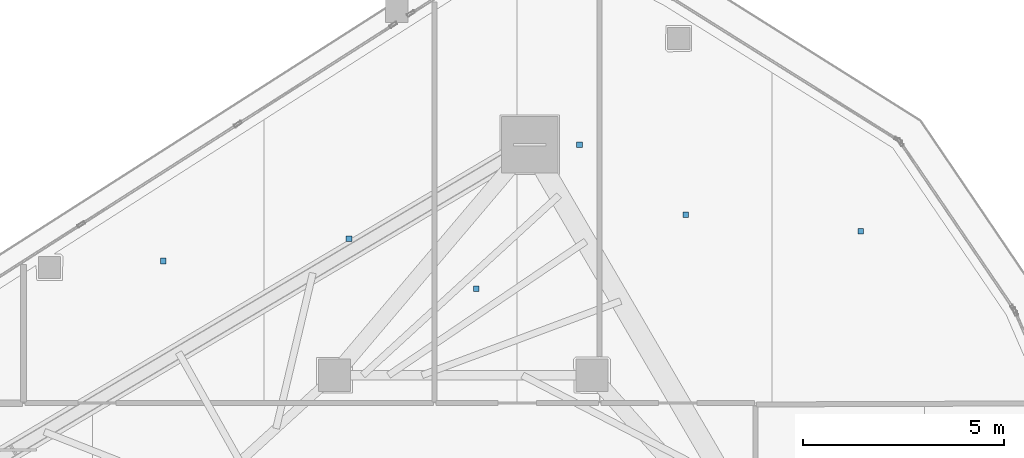
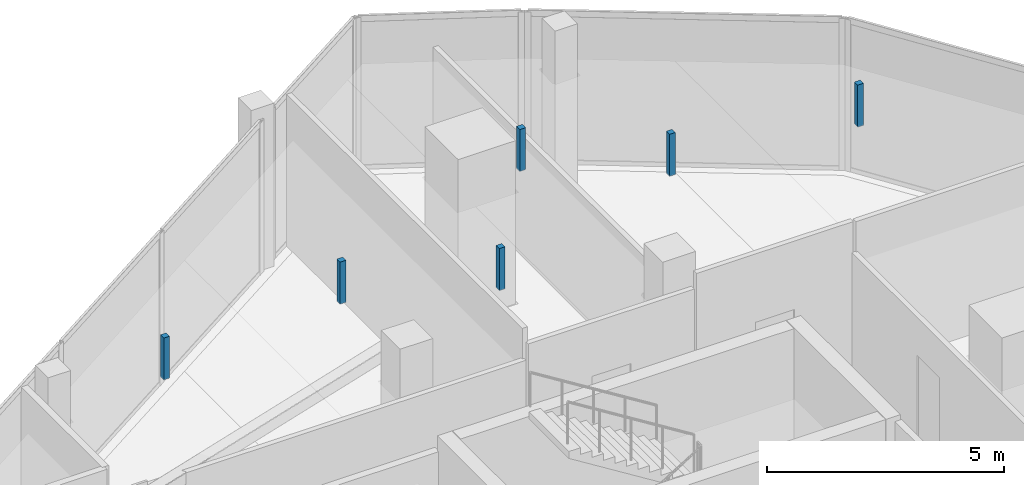
# One storey, part 25 of 30: 6 discrete accessories.
"""IFC4 building model written with IfcOpenShell, lengths in metres."""

from ifc_helpers import new_model, si_unit, direction, frame, origin, origin_2d, place, context, subcontext, project, spatial, rectangle, extrude, material, type_object, element, save


model = new_model("IFC4")

# Units and contexts
model_context = context("Model", 3, precision=1e-05, world=origin(), true_north=direction((0.0, 1.0)))
body_context = subcontext(model_context, "Body", "Model", "MODEL_VIEW")
ifc_project = project(units=[si_unit("LENGTHUNIT", "METRE"), si_unit("AREAUNIT", "SQUARE_METRE"), si_unit("VOLUMEUNIT", "CUBIC_METRE"), si_unit("PLANEANGLEUNIT", "RADIAN"), si_unit("MASSUNIT", "GRAM", prefix="KILO")], contexts=[model_context])

# Site, building, storey
site_placement = place(None, origin())
site = spatial("IfcSite", under=ifc_project, at=site_placement, CompositionType="ELEMENT")
building_placement = place(site_placement, origin())
building = spatial("IfcBuilding", under=site, at=building_placement, Name="Qorvath Tower", CompositionType="ELEMENT")
storey_placement = place(building_placement, frame((0.0, 0.0, 301.800048828125)))
storey = spatial("IfcBuildingStorey", under=building, at=storey_placement, Name="L70", CompositionType="ELEMENT", Elevation=301.800048828125)

# Discrete accessories
ifc_material = material(Name="Galvanised steel bracket", Category="steel")
discrete_accessory_type = type_object("IfcDiscreteAccessoryType", Name="DA-BRACKET", PredefinedType="BRACKET", material=ifc_material)
for number, where, z_axis, x_axis, name in (
    (1, (-27.849609375, 14.289794921875, 2.85986328125), (0.0, 0.0, 1.0), (1.0, 0.0, 0.0), "Acoustic Ceiling Suspension Hanger T1-L70-015"),
    (2, (-23.237060546875, 14.844482421875, 2.85986328125), (0.0, 0.0, 1.0), (1.0, 0.0, 0.0), "Acoustic Ceiling Suspension Hanger T1-L70-016"),
    (3, (-20.08056640625, 13.59814453125, 2.85986328125), (0.0, 0.0, 1.0), (1.0, 0.0, 0.0), "Acoustic Ceiling Suspension Hanger T1-L70-017"),
    (4, (-17.51318359375, 17.175537109375, 2.85986328125), (0.0, 0.0, 1.0), (1.0, 0.0, 0.0), "Acoustic Ceiling Suspension Hanger T1-L70-018"),
    (5, (-14.8681640625, 15.44091796875, 2.85986328125), (0.0, 0.0, 1.0), (1.0, 0.0, 0.0), "Acoustic Ceiling Suspension Hanger T1-L70-019"),
    (6, (-10.528564453125, 15.025390625, 2.85986328125), (0.0, 0.0, 1.0), (1.0, 0.0, 0.0), "Acoustic Ceiling Suspension Hanger T1-L70-020"),
):
    element("IfcDiscreteAccessory", number, at=place(storey_placement, frame(where, z_axis=z_axis, x_axis=x_axis)), inside=storey, type_object=discrete_accessory_type, Name=name, PredefinedType="NOTDEFINED", context=body_context, shape_type="SweptSolid", body=[
        extrude(rectangle(XDim=0.139892578125, YDim=0.139892578125, at=origin_2d()), origin(), (0.0, 0.0, 1.0), 1.080078125),
    ])

save(model, "model.ifc")
